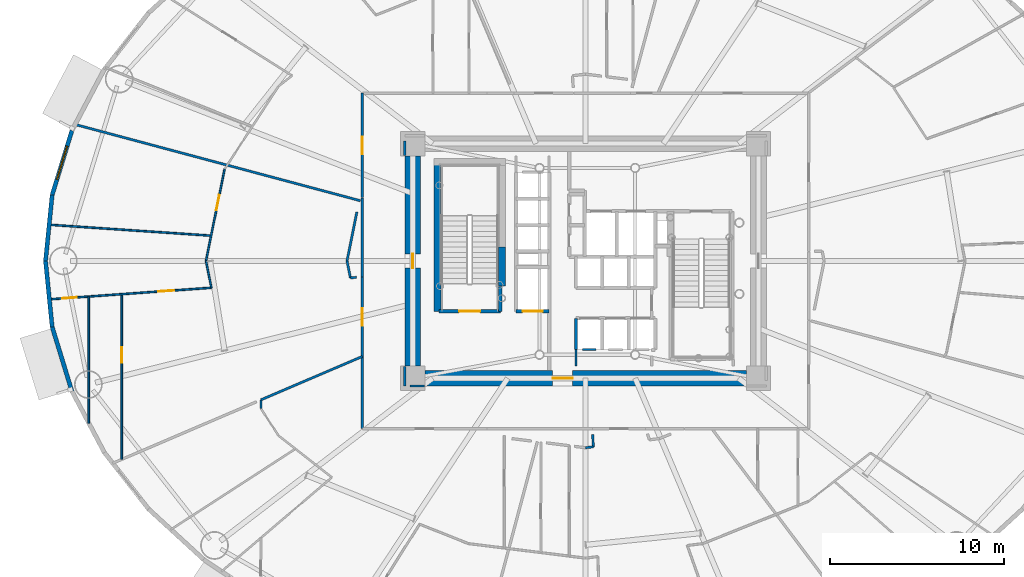
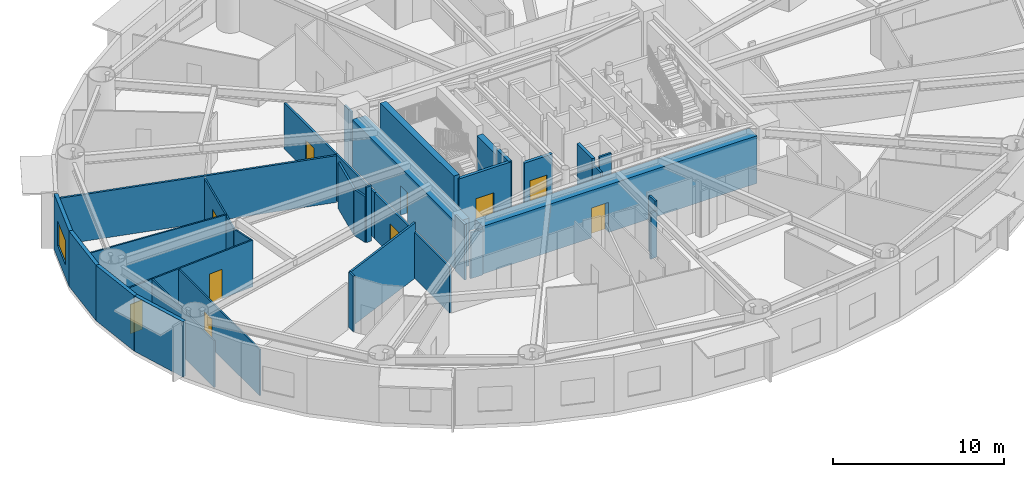
# One storey, part 11 of 24: 34 walls, 10 doors, 1 window, 11 openings.
"""IFC4 building model written with IfcOpenShell, lengths in metres."""

import ifcopenshell
import ifcopenshell.guid

model = None  # the IFC model being written
_history = None  # IfcOwnerHistory: only IFC2X3 demands one
_inside = {}  # id of a spatial element -> (the spatial element, [elements in it])
_under = {}  # id of a project, library or spatial element -> (it, [spatial elements below it])
_declared = {}  # id of a project -> (the project, [libraries it declares])
_typed = {}  # id of a type object -> (the type object, [elements of that type])
_made_of = {}  # id of a material, layer set ... -> (it, [elements and type objects made of it])


def new_model(schema):
    """Start an empty IFC model of exactly this schema.

    Asked for "IFC4X3", IfcOpenShell would pick the latest addendum, in which some entities
    have other attributes; the version numbers below select the first issue.
    IFC2X3 requires an IfcOwnerHistory on every rooted entity: one is made here for all.
    """
    global model, _history
    if schema == "IFC4X3":
        model = ifcopenshell.file(schema_version=(4, 3, 0, 0))
    else:
        model = ifcopenshell.file(schema=schema)
    _inside.clear()
    _under.clear()
    _declared.clear()
    _typed.clear()
    _made_of.clear()
    _history = None
    if model.schema == "IFC2X3":
        org = make("IfcOrganization", Name="unknown")
        user = make(
            "IfcPersonAndOrganization",
            ThePerson=make("IfcPerson", FamilyName="unknown"),
            TheOrganization=org,
        )
        app = make(
            "IfcApplication",
            ApplicationDeveloper=org,
            Version="unknown",
            ApplicationFullName="unknown",
            ApplicationIdentifier="unknown",
        )
        _history = make(
            "IfcOwnerHistory",
            OwningUser=user,
            OwningApplication=app,
            ChangeAction="ADDED",
            CreationDate=0,
        )
    return model


def make(cls, **values):
    """One entity of the class cls with the attributes given. An attribute that is None is left unset."""
    return model.create_entity(
        cls, **{name: value for name, value in values.items() if value is not None}
    )


def rooted(cls, **values):
    """An entity with a GlobalId (a new one), such as an element, a storey or a relation."""
    return make(cls, GlobalId=ifcopenshell.guid.new(), OwnerHistory=_history, **values)


def si_unit(unit_type, name, prefix=None):
    """IfcSIUnit, for example si_unit("LENGTHUNIT", "METRE", prefix="MILLI")."""
    return make("IfcSIUnit", UnitType=unit_type, Prefix=prefix, Name=name)


def assignment(units):
    """IfcUnitAssignment: the units of a project."""
    return None if units is None else make("IfcUnitAssignment", Units=units)


def point(xyz):
    """IfcCartesianPoint."""
    return None if xyz is None else make("IfcCartesianPoint", Coordinates=xyz)


def direction(xyz):
    """IfcDirection."""
    return None if xyz is None else make("IfcDirection", DirectionRatios=xyz)


def frame(location, z_axis=None, x_axis=None):
    """IfcAxis2Placement3D, a coordinate frame: its origin and axes. An axis left out is left unset."""
    return make(
        "IfcAxis2Placement3D",
        Location=point(location),
        Axis=direction(z_axis),
        RefDirection=direction(x_axis),
    )


def frame_2d(location, x_axis=None):
    """IfcAxis2Placement2D, a coordinate frame in the plane: its origin and x axis."""
    return make(
        "IfcAxis2Placement2D", Location=point(location), RefDirection=direction(x_axis)
    )


def origin():
    """The frame at (0, 0, 0) with its axes left unset."""
    return frame((0.0, 0.0, 0.0))


def origin_2d():
    """The frame at (0, 0) in the plane with its x axis left unset."""
    return frame_2d((0.0, 0.0))


def place(relative_to, where):
    """IfcLocalPlacement: puts the frame where relative to a parent placement (None: the world)."""
    return make(
        "IfcLocalPlacement", PlacementRelTo=relative_to, RelativePlacement=where
    )


def context(
    kind, dimensions, precision=None, world=None, true_north=None, identifier=None
):
    """IfcGeometricRepresentationContext, for example the 3D "Model" context."""
    return make(
        "IfcGeometricRepresentationContext",
        ContextIdentifier=identifier,
        ContextType=kind,
        CoordinateSpaceDimension=dimensions,
        Precision=precision,
        WorldCoordinateSystem=world,
        TrueNorth=true_north,
    )


def subcontext(parent, identifier, kind, view, scale=None):
    """IfcGeometricRepresentationSubContext, for example "Body" below "Model"."""
    return make(
        "IfcGeometricRepresentationSubContext",
        ContextIdentifier=identifier,
        ContextType=kind,
        ParentContext=parent,
        TargetScale=scale,
        TargetView=view,
    )


def project(units=None, contexts=None):
    """IfcProject with its units and contexts."""
    return rooted(
        "IfcProject",
        Name="project",
        RepresentationContexts=contexts,
        UnitsInContext=assignment(units),
    )


def spatial(cls, under=None, at=None, **own):
    """A site, building, storey or space (cls), placed at a placement, below another one or the project."""
    s = rooted(cls, ObjectPlacement=at, **own)
    if under is not None:
        _under.setdefault(under.id(), (under, []))[1].append(s)
    return s


def profile(cls, at=None, kind="AREA", **sizes):
    """A parametric profile (cls). Its sizes go by their IFC names, for example OverallWidth=200.0."""
    return make(cls, ProfileType=kind, Position=at, **sizes)


def rectangle(**sizes):
    """IfcRectangleProfileDef."""
    return profile("IfcRectangleProfileDef", **sizes)


def extrude(swept, where, along, depth):
    """IfcExtrudedAreaSolid: the profile swept, set in the frame where, extruded along a direction by depth."""
    return make(
        "IfcExtrudedAreaSolid",
        SweptArea=swept,
        Position=where,
        ExtrudedDirection=direction(along),
        Depth=depth,
    )


def shape(context_of_items, identifier, shape_type, items):
    """IfcShapeRepresentation: the items that make up one representation, for example the "Body"."""
    return make(
        "IfcShapeRepresentation",
        ContextOfItems=context_of_items,
        RepresentationIdentifier=identifier,
        RepresentationType=shape_type,
        Items=items,
    )


def source(mapping_origin, context_of_items, identifier, shape_type, items):
    """IfcRepresentationMap: a shape defined once, which mapped items show again and again."""
    return make(
        "IfcRepresentationMap",
        MappingOrigin=mapping_origin,
        MappedRepresentation=shape(context_of_items, identifier, shape_type, items),
    )


def transform(
    local_origin,
    x_axis=None,
    y_axis=None,
    z_axis=None,
    scale=None,
    scale2=None,
    scale3=None,
    uniform=True,
):
    """IfcCartesianTransformationOperator3D, or its non-uniform kind. x_axis, y_axis, z_axis: its Axis1, 2, 3."""
    if uniform:
        return make(
            "IfcCartesianTransformationOperator3D",
            Axis1=direction(x_axis),
            Axis2=direction(y_axis),
            LocalOrigin=point(local_origin),
            Scale=scale,
            Axis3=direction(z_axis),
        )
    return make(
        "IfcCartesianTransformationOperator3DnonUniform",
        Axis1=direction(x_axis),
        Axis2=direction(y_axis),
        LocalOrigin=point(local_origin),
        Scale=scale,
        Axis3=direction(z_axis),
        Scale2=scale2,
        Scale3=scale3,
    )


def mapped(mapping_source, mapping_target):
    """IfcMappedItem: shows the shape of a source again, moved by a transform."""
    return make(
        "IfcMappedItem", MappingSource=mapping_source, MappingTarget=mapping_target
    )


def material(Name=None, Category=None):
    """IfcMaterial."""
    return make("IfcMaterial", Name=Name, Category=Category)


def layer(
    of_material, thickness, ventilated=None, Name=None, Category=None, Priority=None
):
    """IfcMaterialLayer: one layer of a wall or slab, of a material (None: an air gap)."""
    return make(
        "IfcMaterialLayer",
        Material=of_material,
        LayerThickness=thickness,
        IsVentilated=ventilated,
        Name=Name,
        Category=Category,
        Priority=Priority,
    )


def layer_set(layers, Name=None):
    """IfcMaterialLayerSet."""
    return make("IfcMaterialLayerSet", MaterialLayers=layers, LayerSetName=Name)


def made_of(thing, what):
    """Note that an element or type object is made of a material, layer set ...; save() writes the relation."""
    if what is not None:
        _made_of.setdefault(what.id(), (what, []))[1].append(thing)
    return thing


def type_object(cls, material=None, **own):
    """A type object (cls), such as IfcWallType, which elements share."""
    return made_of(rooted(cls, **own), material)


def element(
    cls,
    number,
    at=None,
    inside=None,
    cuts=None,
    type_object=None,
    material=None,
    context=None,
    identifier="Body",
    shape_type=None,
    held_by="IfcProductDefinitionShape",
    body=None,
    shapes=None,
    **own,
):
    """One element of the class cls, such as IfcWall. Its Tag is "e" and its number.

    at: its placement. inside: the storey or other place that contains it. cuts: it is an
    opening in that element (IfcRelVoidsElement). A single representation is given by context,
    identifier, shape_type and body (its items); several are given by shapes. held_by: the class
    of the entity that holds the representations. save() writes the other relations.
    """
    e = rooted(cls, Tag="e%d" % number, ObjectPlacement=at, **own)
    if body is not None:
        shapes = [shape(context, identifier, shape_type, body)]
    if shapes is not None:
        e.Representation = make(held_by, Representations=shapes)
    if inside is not None:
        _inside.setdefault(inside.id(), (inside, []))[1].append(e)
    if cuts is not None:
        rooted(
            "IfcRelVoidsElement", RelatingBuildingElement=cuts, RelatedOpeningElement=e
        )
    if type_object is not None:
        _typed.setdefault(type_object.id(), (type_object, []))[1].append(e)
    return made_of(e, material)


def fill(opening, filler):
    """IfcRelFillsElement: the door or window that sits in an opening."""
    return rooted(
        "IfcRelFillsElement",
        RelatingOpeningElement=opening,
        RelatedBuildingElement=filler,
    )


def aggregate(whole, parts):
    """IfcRelAggregates: a whole, such as a stair, and the parts it consists of."""
    return rooted("IfcRelAggregates", RelatingObject=whole, RelatedObjects=parts)


def save(model, path):
    """Write the relations noted so far, then the file.

    IfcRelAggregates (storeys below a building ...), IfcRelContainedInSpatialStructure (elements
    in a storey), IfcRelDefinesByType, IfcRelAssociatesMaterial and IfcRelDeclares: one each for
    every whole, place, type object, material and project.
    """
    for whole, parts in _under.values():
        aggregate(whole, parts)
    for where, things in _inside.values():
        rooted(
            "IfcRelContainedInSpatialStructure",
            RelatedElements=things,
            RelatingStructure=where,
        )
    for kind, things in _typed.values():
        rooted("IfcRelDefinesByType", RelatedObjects=things, RelatingType=kind)
    for what, things in _made_of.values():
        rooted("IfcRelAssociatesMaterial", RelatedObjects=things, RelatingMaterial=what)
    for by, libraries in _declared.values():
        rooted("IfcRelDeclares", RelatingContext=by, RelatedDefinitions=libraries)
    model.write(path)


model = new_model("IFC4")

# Units and contexts
model_context = context("Model", 3, precision=1e-05, world=origin(), true_north=direction((0.0, 1.0)))
body_context = subcontext(model_context, "Body", "Model", "MODEL_VIEW")
ifc_project = project(units=[si_unit("LENGTHUNIT", "METRE"), si_unit("AREAUNIT", "SQUARE_METRE"), si_unit("VOLUMEUNIT", "CUBIC_METRE"), si_unit("PLANEANGLEUNIT", "RADIAN"), si_unit("MASSUNIT", "GRAM", prefix="KILO")], contexts=[model_context])

# Site, building, storey
site_placement = place(None, origin())
site = spatial("IfcSite", under=ifc_project, at=site_placement, CompositionType="ELEMENT")
building_placement = place(site_placement, origin())
building = spatial("IfcBuilding", under=site, at=building_placement, Name="Linh Dai School and Residence Tower", CompositionType="ELEMENT")
storey_placement = place(building_placement, frame((0.0, 0.0, 70.199951171875)))
storey = spatial("IfcBuildingStorey", under=building, at=storey_placement, Name="L16", CompositionType="ELEMENT", Elevation=70.199951171875)

# Wall, opening, window
ifc_material_1 = material(Name="Precast Concrete B45 (C35/45)", Category="concrete")
ifc_layer_1 = layer(ifc_material_1, 0.239990234375)
ifc_layer_set_1 = layer_set([ifc_layer_1], Name="Precast Concrete B45 (C35/45)")
wall_type_1 = type_object("IfcWallType", Name="EW-TC-240", PredefinedType="SOLIDWALL", material=ifc_layer_set_1)
wall_1_placement = place(storey_placement, frame((5.306640625, 30.796875, 0.0), z_axis=(0.0, 0.0, 1.0), x_axis=(0.293111631758, 0.956078224482, 0.0)))
wall_1 = element("IfcWall", 1, at=wall_1_placement, inside=storey, type_object=wall_type_1, Name="L16 Terracotta Exterior Wall 19", PredefinedType="SOLIDWALL", context=body_context, shape_type="SweptSolid", body=[
    extrude(rectangle(XDim=3.874755859375, YDim=0.239990234375, at=frame_2d((1.9375, 0.0))), origin(), (0.0, 0.0, 1.0), 3.949951171875),
])
opening_1_placement = place(wall_1_placement, frame((0.9375, 0.0, 0.89990234375)))
opening_1 = element("IfcOpeningElement", 2, at=opening_1_placement, cuts=wall_1, Name="Opening W1", PredefinedType="OPENING", context=body_context, shape_type="SweptSolid", body=[
    extrude(rectangle(XDim=2.0, YDim=1.75, at=origin_2d()), frame((1.0, 0.1298828125, 0.875), z_axis=(0.0, -1.0, 0.0), x_axis=(1.0, 0.0, 0.0)), (0.0, 0.0, 1.0), 0.260009765625),
])
ifc_material_2 = material(Name="Double Low-E Insulated Glazing", Category="glass")
window_type = type_object("IfcWindowType", Name="WN-RES-2000x1750", PartitioningType="DOUBLE_PANEL_VERTICAL", PredefinedType="WINDOW", material=ifc_material_2)
shared_shape_1 = source(origin(), body_context, "Body", "SweptSolid", [
    extrude(rectangle(XDim=2.0, YDim=1.75, at=origin_2d()), frame((1.0, 0.030029296875, 0.875), z_axis=(0.0, -1.0, 0.0), x_axis=(1.0, 0.0, 0.0)), (0.0, 0.0, 1.0), 0.06005859375),
])
window_placement = place(opening_1_placement, origin())
window = element("IfcWindow", 3, at=window_placement, inside=storey, type_object=window_type, Name="L16 Exterior Window 19.1", OverallHeight=1.75, OverallWidth=2.0, PartitioningType="DOUBLE_PANEL_VERTICAL", PredefinedType="WINDOW", context=body_context, shape_type="MappedRepresentation", body=[
    mapped(shared_shape_1, transform((0.0, 0.0, 0.0), x_axis=(1.0, 0.0, 0.0), y_axis=(0.0, 1.0, 0.0), z_axis=(0.0, 0.0, 1.0), scale=1.0)),
])
fill(opening_1, window)

# Walls
for number, where, z_axis, x_axis, name in (
    (4, (4.925048828125, 27.0, 0.0), (0.0, 0.0, 1.0), (0.099997795174, 0.994987658698, 0.0), "L16 Terracotta Exterior Wall 20"),
    (5, (5.306640625, 23.203125, 0.0), (0.0, 0.0, 1.0), (-0.099997795174, 0.994987658698, 0.0), "L16 Terracotta Exterior Wall 21"),
):
    element("IfcWall", number, at=place(storey_placement, frame(where, z_axis=z_axis, x_axis=x_axis)), inside=storey, type_object=wall_type_1, Name=name, PredefinedType="SOLIDWALL", context=body_context, shape_type="SweptSolid", body=[
        extrude(rectangle(XDim=3.81591796875, YDim=0.239990234375, at=frame_2d((1.907958984375, 0.0))), origin(), (0.0, 0.0, 1.0), 3.949951171875),
    ])
wall_2_placement = place(storey_placement, frame((6.4423828125, 19.49853515625, 0.0), z_axis=(0.0, 0.0, 1.0), x_axis=(-0.293111631758, 0.956078224482, 0.0)))
element("IfcWall", 6, at=wall_2_placement, inside=storey, type_object=wall_type_1, Name="L16 Terracotta Exterior Wall 22", PredefinedType="SOLIDWALL", context=body_context, shape_type="SweptSolid", body=[
    extrude(rectangle(XDim=3.874755859375, YDim=0.239990234375, at=frame_2d((1.9375, 0.0))), origin(), (0.0, 0.0, 1.0), 3.949951171875),
])
ifc_material_3 = material(Name="Autoclaved Aerated Concrete Blockwork", Category="masonry")
ifc_layer_2 = layer(ifc_material_3, 0.135009765625)
ifc_layer_set_2 = layer_set([ifc_layer_2], Name="Autoclaved Aerated Concrete Blockwork")
wall_type_2 = type_object("IfcWallType", Name="IW-CORR-135-EI90", PredefinedType="PARTITIONING", material=ifc_layer_set_2)
wall_3_placement = place(storey_placement, frame((6.623046875, 34.853515625, 0.0), z_axis=(0.0, 0.0, 1.0), x_axis=(0.966073053026, -0.258268961003, 0.0)))
element("IfcWall", 7, at=wall_3_placement, inside=storey, type_object=wall_type_2, Name="L16 Interior Partition Wall 003", PredefinedType="PARTITIONING", context=body_context, shape_type="SweptSolid", body=[
    extrude(rectangle(XDim=16.99072265625, YDim=0.135009765625, at=frame_2d((8.495361328125, 0.0))), origin(), (0.0, 0.0, 1.0), 3.3349609375),
])
wall_4_placement = place(storey_placement, frame((17.3193359375, 19.007080078125, 0.0), z_axis=(0.0, 0.0, 1.0), x_axis=(0.919369884618, 0.393394223721, 0.0)))
element("IfcWall", 8, at=wall_4_placement, inside=storey, type_object=wall_type_2, Name="L16 Interior Partition Wall 016", PredefinedType="PARTITIONING", context=body_context, shape_type="SweptSolid", body=[
    extrude(rectangle(XDim=6.341796875, YDim=0.135009765625, at=frame_2d((3.1708984375, 0.0))), origin(), (0.0, 0.0, 1.0), 3.949951171875),
])

# Wall, opening, door
wall_5_placement = place(storey_placement, frame((23.14990234375, 17.35009765625, 0.0), z_axis=(0.0, 0.0, 1.0), x_axis=(0.0, 1.0, 0.0)))
wall_5 = element("IfcWall", 9, at=wall_5_placement, inside=storey, type_object=wall_type_2, Name="L16 Interior Partition Wall 022", PredefinedType="PARTITIONING", context=body_context, shape_type="SweptSolid", body=[
    extrude(rectangle(XDim=8.72900390625, YDim=0.135009765625, at=frame_2d((4.364501953125, 0.0))), origin(), (0.0, 0.0, 1.0), 3.28515625),
])
opening_2_placement = place(wall_5_placement, frame((5.920654296875, 0.0, 0.0)))
opening_2 = element("IfcOpeningElement", 10, at=opening_2_placement, cuts=wall_5, Name="Opening D03", PredefinedType="OPENING", context=body_context, shape_type="SweptSolid", body=[
    extrude(rectangle(XDim=1.0, YDim=2.14990234375, at=origin_2d()), frame((0.5, 0.07763671875, 1.074951171875), z_axis=(0.0, -1.0, 0.0), x_axis=(1.0, 0.0, 0.0)), (0.0, 0.0, 1.0), 0.155029296875),
])
ifc_material_4 = material(Name="Fire-Rated Solid Timber Entrance Door", Category="wood")
door_type_1 = type_object("IfcDoorType", Name="DR-FLAT-1000x2150-FD60S", OperationType="NOTDEFINED", PredefinedType="DOOR", material=ifc_material_4)
shared_shape_2 = source(origin(), body_context, "Body", "SweptSolid", [
    extrude(rectangle(XDim=1.0, YDim=2.14990234375, at=origin_2d()), frame((0.5, 0.02490234375, 1.074951171875), z_axis=(0.0, -1.0, 0.0), x_axis=(1.0, 0.0, 0.0)), (0.0, 0.0, 1.0), 0.050048828125),
])
door_1_placement = place(opening_2_placement, origin())
door_1 = element("IfcDoor", 11, at=door_1_placement, inside=storey, type_object=door_type_1, Name="L16 U1603 Apartment Entrance Door", OperationType="SINGLE_SWING_RIGHT", OverallHeight=2.14990234375, OverallWidth=1.0, PredefinedType="DOOR", context=body_context, shape_type="MappedRepresentation", body=[
    mapped(shared_shape_2, transform((0.0, 0.0, 0.0), x_axis=(1.0, 0.0, 0.0), y_axis=(0.0, 1.0, 0.0), z_axis=(0.0, 0.0, 1.0), scale=1.0)),
])
fill(opening_2, door_1)

wall_6_placement = place(storey_placement, frame((23.14990234375, 30.638427734375, 0.0), z_axis=(0.0, 0.0, 1.0), x_axis=(0.0, 1.0, 0.0)))
wall_6 = element("IfcWall", 12, at=wall_6_placement, inside=storey, type_object=wall_type_2, Name="L16 Interior Partition Wall 024", PredefinedType="PARTITIONING", context=body_context, shape_type="SweptSolid", body=[
    extrude(rectangle(XDim=6.011474609375, YDim=0.135009765625, at=frame_2d((3.005859375, 0.0))), origin(), (0.0, 0.0, 1.0), 3.28515625),
])
opening_3_placement = place(wall_6_placement, frame((2.505859375, 0.0, 0.0)))
opening_3 = element("IfcOpeningElement", 13, at=opening_3_placement, cuts=wall_6, Name="Opening D03", PredefinedType="OPENING", context=body_context, shape_type="SweptSolid", body=[
    extrude(rectangle(XDim=1.0, YDim=2.14990234375, at=origin_2d()), frame((0.5, 0.07763671875, 1.074951171875), z_axis=(0.0, -1.0, 0.0), x_axis=(1.0, 0.0, 0.0)), (0.0, 0.0, 1.0), 0.155029296875),
])
door_2_placement = place(opening_3_placement, origin())
door_2 = element("IfcDoor", 14, at=door_2_placement, inside=storey, type_object=door_type_1, Name="L16 U1602 Apartment Entrance Door", OperationType="SINGLE_SWING_RIGHT", OverallHeight=2.14990234375, OverallWidth=1.0, PredefinedType="DOOR", context=body_context, shape_type="MappedRepresentation", body=[
    mapped(shared_shape_2, transform((0.0, 0.0, 0.0), x_axis=(1.0, 0.0, 0.0), y_axis=(0.0, 1.0, 0.0), z_axis=(0.0, 0.0, 1.0), scale=1.0)),
])
fill(opening_3, door_2)

# Walls
wall_7_placement = place(storey_placement, frame((36.60009765625, 21.89990234375, 0.0), z_axis=(0.0, 0.0, 1.0), x_axis=(-1.0, 0.0, 0.0)))
element("IfcWall", 15, at=wall_7_placement, inside=storey, type_object=wall_type_2, Name="L16 Interior Partition Wall 110", PredefinedType="PARTITIONING", context=body_context, shape_type="SweptSolid", body=[
    extrude(rectangle(XDim=0.7900390625, YDim=0.135009765625, at=frame_2d((0.39501953125, 0.0))), origin(), (0.0, 0.0, 1.0), 3.949951171875),
])
wall_8_placement = place(storey_placement, frame((35.449951171875, 21.889892578125, 0.0), z_axis=(0.0, 0.0, 1.0), x_axis=(0.0, -1.0, 0.0)))
element("IfcWall", 16, at=wall_8_placement, inside=storey, type_object=wall_type_2, Name="L16 Interior Partition Wall 117", PredefinedType="PARTITIONING", context=body_context, shape_type="SweptSolid", body=[
    extrude(rectangle(XDim=0.929931640625, YDim=0.135009765625, at=frame_2d((0.46484375, 0.0))), origin(), (0.0, 0.0, 1.0), 3.53515625),
])
wall_9_placement = place(storey_placement, frame((23.14990234375, 26.089111328125, 0.0), z_axis=(0.0, 0.0, 1.0), x_axis=(0.0, 1.0, 0.0)))
element("IfcWall", 17, at=wall_9_placement, inside=storey, type_object=wall_type_2, Name="L16 Interior Partition Wall 124", PredefinedType="PARTITIONING", context=body_context, shape_type="SweptSolid", body=[
    extrude(rectangle(XDim=4.539306640625, YDim=0.135009765625, at=frame_2d((2.26953125, 0.0))), origin(), (0.0, 0.0, 1.0), 3.28515625),
])
wall_10_placement = place(storey_placement, frame((25.60009765625, 33.892578125, 0.0), z_axis=(0.0, 0.0, 1.0), x_axis=(0.0, -1.0, 0.0)))
element("IfcWall", 18, at=wall_10_placement, inside=storey, type_object=wall_type_2, Name="L16 Interior Partition Wall 127", PredefinedType="PARTITIONING", context=body_context, shape_type="SweptSolid", body=[
    extrude(rectangle(XDim=0.83251953125, YDim=0.135009765625, at=frame_2d((0.416259765625, 0.0))), origin(), (0.0, 0.0, 1.0), 3.949951171875),
])
wall_11_placement = place(storey_placement, frame((25.60009765625, 20.93994140625, 0.0), z_axis=(0.0, 0.0, 1.0), x_axis=(0.0, -1.0, 0.0)))
element("IfcWall", 19, at=wall_11_placement, inside=storey, type_object=wall_type_2, Name="L16 Interior Partition Wall 128", PredefinedType="PARTITIONING", context=body_context, shape_type="SweptSolid", body=[
    extrude(rectangle(XDim=1.139892578125, YDim=0.135009765625, at=frame_2d((0.56982421875, 0.0))), origin(), (0.0, 0.0, 1.0), 3.949951171875),
])
wall_12_placement = place(storey_placement, frame((25.907470703125, 19.800048828125, 0.0), z_axis=(0.0, 0.0, 1.0), x_axis=(1.0, 0.0, 0.0)))
element("IfcWall", 20, at=wall_12_placement, inside=storey, type_object=wall_type_2, Name="L16 Interior Partition Wall 129", PredefinedType="PARTITIONING", context=body_context, shape_type="SweptSolid", body=[
    extrude(rectangle(XDim=0.83251953125, YDim=0.135009765625, at=frame_2d((0.416259765625, 0.0))), origin(), (0.0, 0.0, 1.0), 3.28515625),
])
wall_13_placement = place(storey_placement, frame((22.842529296875, 29.8203125, 0.0), z_axis=(0.0, 0.0, 1.0), x_axis=(-0.19828576171, -0.980144253007, 0.0)))
element("IfcWall", 21, at=wall_13_placement, inside=storey, type_object=wall_type_2, Name="L16 Interior Partition Wall 138", PredefinedType="PARTITIONING", context=body_context, shape_type="SweptSolid", body=[
    extrude(rectangle(XDim=2.87744140625, YDim=0.135009765625, at=frame_2d((1.438720703125, 0.0))), origin(), (0.0, 0.0, 1.0), 3.28515625),
])
wall_14_placement = place(storey_placement, frame((22.27197265625, 27.0, 0.0), z_axis=(0.0, 0.0, 1.0), x_axis=(0.1983933715, -0.980122477114, 0.0)))
element("IfcWall", 22, at=wall_14_placement, inside=storey, type_object=wall_type_2, Name="L16 Interior Partition Wall 139", PredefinedType="PARTITIONING", context=body_context, shape_type="SweptSolid", body=[
    extrude(rectangle(XDim=0.989501953125, YDim=0.135009765625, at=frame_2d((0.49462890625, 0.0))), origin(), (0.0, 0.0, 1.0), 3.28515625),
])
wall_15_placement = place(storey_placement, frame((22.46826171875, 26.0302734375, 0.0), z_axis=(0.0, 0.0, 1.0), x_axis=(0.997441222806, 0.071491307493, 0.0)))
element("IfcWall", 23, at=wall_15_placement, inside=storey, type_object=wall_type_2, Name="L16 Interior Partition Wall 140", PredefinedType="PARTITIONING", context=body_context, shape_type="SweptSolid", body=[
    extrude(rectangle(XDim=0.355224609375, YDim=0.135009765625, at=frame_2d((0.177734375, 0.0))), origin(), (0.0, 0.0, 1.0), 3.949951171875),
])
wall_16_placement = place(storey_placement, frame((17.3193359375, 18.503173828125, 0.0), z_axis=(0.0, 0.0, 1.0), x_axis=(0.0, 1.0, 0.0)))
element("IfcWall", 24, at=wall_16_placement, inside=storey, type_object=wall_type_2, Name="L16 Interior Partition Wall 141", PredefinedType="PARTITIONING", context=body_context, shape_type="SweptSolid", body=[
    extrude(rectangle(XDim=0.50390625, YDim=0.135009765625, at=frame_2d((0.251953125, 0.0))), origin(), (0.0, 0.0, 1.0), 3.949951171875),
])
wall_17_placement = place(storey_placement, frame((36.0, 16.250732421875, 0.0), z_axis=(0.0, 0.0, 1.0), x_axis=(0.992361995933, 0.123359916621, 0.0)))
element("IfcWall", 25, at=wall_17_placement, inside=storey, type_object=wall_type_2, Name="L16 Interior Partition Wall 144", PredefinedType="PARTITIONING", context=body_context, shape_type="SweptSolid", body=[
    extrude(rectangle(XDim=0.4453125, YDim=0.135009765625, at=frame_2d((0.22265625, 0.0))), origin(), (0.0, 0.0, 1.0), 3.28515625),
])
wall_18_placement = place(storey_placement, frame((36.44189453125, 16.3056640625, 0.0), z_axis=(0.0, 0.0, 1.0), x_axis=(-0.041177579393, 0.999151843793, 0.0)))
element("IfcWall", 26, at=wall_18_placement, inside=storey, type_object=wall_type_2, Name="L16 Interior Partition Wall 145", PredefinedType="PARTITIONING", context=body_context, shape_type="SweptSolid", body=[
    extrude(rectangle(XDim=0.71728515625, YDim=0.135009765625, at=frame_2d((0.358642578125, 0.0))), origin(), (0.0, 0.0, 1.0), 3.949951171875),
])

# Wall, opening, door
ifc_material_5 = material(Name="Concrete B45 (C35/45)", Category="concrete")
ifc_layer_3 = layer(ifc_material_5, 0.199951171875)
ifc_layer_set_3 = layer_set([ifc_layer_3], Name="Concrete B45 (C35/45)")
wall_type_3 = type_object("IfcWallType", Name="IW-SHAFT-200-EI120", PredefinedType="PARTITIONING", material=ifc_layer_set_3)
wall_19_placement = place(storey_placement, frame((27.56005859375, 24.10009765625, 0.0), z_axis=(0.0, 0.0, 1.0), x_axis=(1.0, 0.0, 0.0)))
wall_19 = element("IfcWall", 27, at=wall_19_placement, inside=storey, type_object=wall_type_3, Name="L16 Interior Partition Wall 030", PredefinedType="PARTITIONING", context=body_context, shape_type="SweptSolid", body=[
    extrude(rectangle(XDim=3.5400390625, YDim=0.199951171875, at=frame_2d((1.77001953125, 0.0))), origin(), (0.0, 0.0, 1.0), 3.949951171875),
])
opening_4_placement = place(wall_19_placement, frame((1.169921875, 0.0, 0.0)))
opening_4 = element("IfcOpeningElement", 28, at=opening_4_placement, cuts=wall_19, Name="Opening D01", PredefinedType="OPENING", context=body_context, shape_type="SweptSolid", body=[
    extrude(rectangle(XDim=1.199951171875, YDim=2.14990234375, at=origin_2d()), frame((0.60009765625, 0.10986328125, 1.074951171875), z_axis=(0.0, -1.0, 0.0), x_axis=(1.0, 0.0, 0.0)), (0.0, 0.0, 1.0), 0.219970703125),
])
ifc_material_6 = material(Name="Fire-Rated Steel Door Leaf", Category="steel")
door_type_2 = type_object("IfcDoorType", Name="DR-STAIR-1200x2150-FD90S", OperationType="NOTDEFINED", PredefinedType="DOOR", material=ifc_material_6)
shared_shape_3 = source(origin(), body_context, "Body", "SweptSolid", [
    extrude(rectangle(XDim=1.199951171875, YDim=2.14990234375, at=origin_2d()), frame((0.60009765625, 0.02490234375, 1.074951171875), z_axis=(0.0, -1.0, 0.0), x_axis=(1.0, 0.0, 0.0)), (0.0, 0.0, 1.0), 0.050048828125),
])
door_3_placement = place(opening_4_placement, origin())
door_3 = element("IfcDoor", 29, at=door_3_placement, inside=storey, type_object=door_type_2, Name="L16 Core Smokeproof Exit Stair ST1 Door", OperationType="SINGLE_SWING_RIGHT", OverallHeight=2.14990234375, OverallWidth=1.199951171875, PredefinedType="DOOR", context=body_context, shape_type="MappedRepresentation", body=[
    mapped(shared_shape_3, transform((0.0, 0.0, 0.0), x_axis=(1.0, 0.0, 0.0), y_axis=(0.0, 1.0, 0.0), z_axis=(0.0, 0.0, 1.0), scale=1.0)),
])
fill(opening_4, door_3)

# Wall
wall_20_placement = place(storey_placement, frame((31.10009765625, 24.10009765625, 0.0), z_axis=(0.0, 0.0, 1.0), x_axis=(0.0, 1.0, 0.0)))
element("IfcWall", 30, at=wall_20_placement, inside=storey, type_object=wall_type_3, Name="L16 Interior Partition Wall 034", PredefinedType="PARTITIONING", context=body_context, shape_type="SweptSolid", body=[
    extrude(rectangle(XDim=1.43994140625, YDim=0.199951171875, at=frame_2d((0.719970703125, 0.0))), origin(), (0.0, 0.0, 1.0), 3.949951171875),
])

# Wall, opening, door
wall_21_placement = place(storey_placement, frame((32.0, 24.10009765625, 0.0), z_axis=(0.0, 0.0, 1.0), x_axis=(1.0, 0.0, 0.0)))
wall_21 = element("IfcWall", 31, at=wall_21_placement, inside=storey, type_object=wall_type_3, Name="L16 Interior Partition Wall 038", PredefinedType="PARTITIONING", context=body_context, shape_type="SweptSolid", body=[
    extrude(rectangle(XDim=1.89990234375, YDim=0.199951171875, at=frame_2d((0.949951171875, 0.0))), origin(), (0.0, 0.0, 1.0), 3.53515625),
])
opening_5_placement = place(wall_21_placement, frame((0.375, 0.0, 0.0)))
opening_5 = element("IfcOpeningElement", 32, at=opening_5_placement, cuts=wall_21, Name="Opening LD-FF2", PredefinedType="OPENING", context=body_context, shape_type="SweptSolid", body=[
    extrude(rectangle(XDim=1.14990234375, YDim=2.14990234375, at=origin_2d()), frame((0.574951171875, 0.10986328125, 1.074951171875), z_axis=(0.0, -1.0, 0.0), x_axis=(1.0, 0.0, 0.0)), (0.0, 0.0, 1.0), 0.219970703125),
])
ifc_material_7 = material(Name="Fire-Rated Stainless Steel Firefighting Lift Door", Category="steel")
door_type_3 = type_object("IfcDoorType", Name="DR-LD-FF-1150x2150-FD120", OperationType="DOUBLE_DOOR_SLIDING", PredefinedType="USERDEFINED", material=ifc_material_7)
shared_shape_4 = source(origin(), body_context, "Body", "SweptSolid", [
    extrude(rectangle(XDim=1.14990234375, YDim=2.14990234375, at=origin_2d()), frame((0.574951171875, 0.02490234375, 1.074951171875), z_axis=(0.0, -1.0, 0.0), x_axis=(1.0, 0.0, 0.0)), (0.0, 0.0, 1.0), 0.050048828125),
])
door_4_placement = place(opening_5_placement, origin())
door_4 = element("IfcDoor", 33, at=door_4_placement, inside=storey, type_object=door_type_3, Name="L16 Lift FF2 Sliding Landing Door", ObjectType="LANDING DOOR", OperationType="DOUBLE_DOOR_SLIDING", OverallHeight=2.14990234375, OverallWidth=1.14990234375, PredefinedType="USERDEFINED", context=body_context, shape_type="MappedRepresentation", body=[
    mapped(shared_shape_4, transform((0.0, 0.0, 0.0), x_axis=(1.0, 0.0, 0.0), y_axis=(0.0, 1.0, 0.0), z_axis=(0.0, 0.0, 1.0), scale=1.0)),
])
fill(opening_5, door_4)

# Walls
wall_22_placement = place(storey_placement, frame((35.449951171875, 21.89990234375, 0.0), z_axis=(0.0, 0.0, 1.0), x_axis=(0.0, 1.0, 0.0)))
element("IfcWall", 34, at=wall_22_placement, inside=storey, type_object=wall_type_3, Name="L16 Interior Partition Wall 054", PredefinedType="PARTITIONING", context=body_context, shape_type="SweptSolid", body=[
    extrude(rectangle(XDim=1.800048828125, YDim=0.199951171875, at=frame_2d((0.89990234375, 0.0))), origin(), (0.0, 0.0, 1.0), 3.949951171875),
])
ifc_material_8 = material(Name="Gypsum Plasterboard Acoustic Stud Partition", Category="masonry")
ifc_layer_4 = layer(ifc_material_8, 0.10009765625)
ifc_layer_set_4 = layer_set([ifc_layer_4], Name="Gypsum Plasterboard Acoustic Stud Partition")
wall_type_4 = type_object("IfcWallType", Name="IW-UNIT-100", PredefinedType="PARTITIONING", material=ifc_layer_set_4)
wall_23_placement = place(storey_placement, frame((5.12939453125, 29.08251953125, 0.0), z_axis=(0.0, 0.0, 1.0), x_axis=(0.997731551972, -0.067318275369, 0.0)))
element("IfcWall", 35, at=wall_23_placement, inside=storey, type_object=wall_type_4, Name="L16 Interior Partition Wall 001", PredefinedType="PARTITIONING", context=body_context, shape_type="SweptSolid", body=[
    extrude(rectangle(XDim=9.345947265625, YDim=0.10009765625, at=frame_2d((4.6728515625, 0.0))), origin(), (0.0, 0.0, 1.0), 3.3349609375),
])

# Wall, openings, doors
wall_24_placement = place(storey_placement, frame((5.142333984375, 24.788818359375, 0.0), z_axis=(0.0, 0.0, 1.0), x_axis=(0.997443041409, 0.071465929957, 0.0)))
wall_24 = element("IfcWall", 36, at=wall_24_placement, inside=storey, type_object=wall_type_4, Name="L16 Interior Partition Wall 002", PredefinedType="PARTITIONING", context=body_context, shape_type="SweptSolid", body=[
    extrude(rectangle(XDim=9.353515625, YDim=0.10009765625, at=frame_2d((4.6767578125, 0.0))), origin(), (0.0, 0.0, 1.0), 3.3349609375),
])
opening_6_placement = place(wall_24_placement, frame((6.29345703125, 0.0, 0.0)))
opening_6 = element("IfcOpeningElement", 37, at=opening_6_placement, cuts=wall_24, Name="Opening D05", PredefinedType="OPENING", context=body_context, shape_type="SweptSolid", body=[
    extrude(rectangle(XDim=0.89990234375, YDim=2.10009765625, at=origin_2d()), frame((0.449951171875, 0.06005859375, 1.050048828125), z_axis=(0.0, -1.0, 0.0), x_axis=(1.0, 0.0, 0.0)), (0.0, 0.0, 1.0), 0.1201171875),
])
opening_7_placement = place(wall_24_placement, frame((0.750244140625, 0.0, 0.0)))
opening_7 = element("IfcOpeningElement", 38, at=opening_7_placement, cuts=wall_24, Name="Opening D06", PredefinedType="OPENING", context=body_context, shape_type="SweptSolid", body=[
    extrude(rectangle(XDim=0.820068359375, YDim=2.10009765625, at=origin_2d()), frame((0.41015625, 0.06005859375, 1.050048828125), z_axis=(0.0, -1.0, 0.0), x_axis=(1.0, 0.0, 0.0)), (0.0, 0.0, 1.0), 0.1201171875),
])
ifc_material_9 = material(Name="Moisture-Resistant Timber Bathroom Door", Category="wood")
door_type_4 = type_object("IfcDoorType", Name="DR-WET-820x2100", OperationType="NOTDEFINED", PredefinedType="DOOR", material=ifc_material_9)
shared_shape_5 = source(origin(), body_context, "Body", "SweptSolid", [
    extrude(rectangle(XDim=0.820068359375, YDim=2.10009765625, at=origin_2d()), frame((0.41015625, 0.02490234375, 1.050048828125), z_axis=(0.0, -1.0, 0.0), x_axis=(1.0, 0.0, 0.0)), (0.0, 0.0, 1.0), 0.050048828125),
])
door_5_placement = place(opening_7_placement, origin())
door_5 = element("IfcDoor", 39, at=door_5_placement, inside=storey, type_object=door_type_4, Name="L16 Apartment U1603 Bathroom 1 Door", OperationType="SINGLE_SWING_LEFT", OverallHeight=2.10009765625, OverallWidth=0.820068359375, PredefinedType="DOOR", context=body_context, shape_type="MappedRepresentation", body=[
    mapped(shared_shape_5, transform((0.0, 0.0, 0.0), x_axis=(1.0, 0.0, 0.0), y_axis=(0.0, 1.0, 0.0), z_axis=(0.0, 0.0, 1.0), scale=1.0)),
])
fill(opening_7, door_5)
ifc_material_10 = material(Name="Engineered Timber Internal Door", Category="wood")
door_type_5 = type_object("IfcDoorType", Name="DR-INT-900x2100", OperationType="NOTDEFINED", PredefinedType="DOOR", material=ifc_material_10)
shared_shape_6 = source(origin(), body_context, "Body", "SweptSolid", [
    extrude(rectangle(XDim=0.89990234375, YDim=2.10009765625, at=origin_2d()), frame((0.449951171875, 0.02490234375, 1.050048828125), z_axis=(0.0, -1.0, 0.0), x_axis=(1.0, 0.0, 0.0)), (0.0, 0.0, 1.0), 0.050048828125),
])
door_6_placement = place(opening_6_placement, origin())
door_6 = element("IfcDoor", 40, at=door_6_placement, inside=storey, type_object=door_type_5, Name="L16 Apartment U1603 Study Door", OperationType="SINGLE_SWING_RIGHT", OverallHeight=2.10009765625, OverallWidth=0.89990234375, PredefinedType="DOOR", context=body_context, shape_type="MappedRepresentation", body=[
    mapped(shared_shape_6, transform((0.0, 0.0, 0.0), x_axis=(1.0, 0.0, 0.0), y_axis=(0.0, 1.0, 0.0), z_axis=(0.0, 0.0, 1.0), scale=1.0)),
])
fill(opening_6, door_6)

# Wall
wall_25_placement = place(storey_placement, frame((7.416748046875, 17.646240234375, 0.0), z_axis=(0.0, 0.0, 1.0), x_axis=(0.0, 1.0, 0.0)))
element("IfcWall", 41, at=wall_25_placement, inside=storey, type_object=wall_type_4, Name="L16 Interior Partition Wall 004", PredefinedType="PARTITIONING", context=body_context, shape_type="SweptSolid", body=[
    extrude(rectangle(XDim=7.3056640625, YDim=0.10009765625, at=frame_2d((3.65283203125, 0.0))), origin(), (0.0, 0.0, 1.0), 3.3349609375),
])

# Wall, opening, door
wall_26_placement = place(storey_placement, frame((9.3046875, 15.577880859375, 0.0), z_axis=(0.0, 0.0, 1.0), x_axis=(0.0, 1.0, 0.0)))
wall_26 = element("IfcWall", 42, at=wall_26_placement, inside=storey, type_object=wall_type_4, Name="L16 Interior Partition Wall 007", PredefinedType="PARTITIONING", context=body_context, shape_type="SweptSolid", body=[
    extrude(rectangle(XDim=9.50927734375, YDim=0.10009765625, at=frame_2d((4.754638671875, 0.0))), origin(), (0.0, 0.0, 1.0), 3.28515625),
])
opening_8_placement = place(wall_26_placement, frame((5.559814453125, 0.0, 0.0)))
opening_8 = element("IfcOpeningElement", 43, at=opening_8_placement, cuts=wall_26, Name="Opening D05", PredefinedType="OPENING", context=body_context, shape_type="SweptSolid", body=[
    extrude(rectangle(XDim=0.89990234375, YDim=2.10009765625, at=origin_2d()), frame((0.449951171875, 0.06005859375, 1.050048828125), z_axis=(0.0, -1.0, 0.0), x_axis=(1.0, 0.0, 0.0)), (0.0, 0.0, 1.0), 0.1201171875),
])
door_7_placement = place(opening_8_placement, origin())
door_7 = element("IfcDoor", 44, at=door_7_placement, inside=storey, type_object=door_type_5, Name="L16 Apartment U1603 Kitchen Door", OperationType="SINGLE_SWING_RIGHT", OverallHeight=2.10009765625, OverallWidth=0.89990234375, PredefinedType="DOOR", context=body_context, shape_type="MappedRepresentation", body=[
    mapped(shared_shape_6, transform((0.0, 0.0, 0.0), x_axis=(1.0, 0.0, 0.0), y_axis=(0.0, 1.0, 0.0), z_axis=(0.0, 0.0, 1.0), scale=1.0)),
])
fill(opening_8, door_7)

# Wall
wall_27_placement = place(storey_placement, frame((14.159912109375, 27.0, 0.0), z_axis=(0.0, 0.0, 1.0), x_axis=(0.198233557602, -0.980154812588, 0.0)))
element("IfcWall", 45, at=wall_27_placement, inside=storey, type_object=wall_type_4, Name="L16 Interior Partition Wall 010", PredefinedType="PARTITIONING", context=body_context, shape_type="SweptSolid", body=[
    extrude(rectangle(XDim=1.573974609375, YDim=0.10009765625, at=frame_2d((0.787109375, 0.0))), origin(), (0.0, 0.0, 1.0), 3.28515625),
])

# Wall, opening, door
wall_28_placement = place(storey_placement, frame((14.159912109375, 27.0, 0.0), z_axis=(0.0, 0.0, 1.0), x_axis=(0.198292702032, 0.980142848936, 0.0)))
wall_28 = element("IfcWall", 46, at=wall_28_placement, inside=storey, type_object=wall_type_4, Name="L16 Interior Partition Wall 011", PredefinedType="PARTITIONING", context=body_context, shape_type="SweptSolid", body=[
    extrude(rectangle(XDim=5.3916015625, YDim=0.10009765625, at=frame_2d((2.69580078125, 0.0))), origin(), (0.0, 0.0, 1.0), 3.28515625),
])
opening_9_placement = place(wall_28_placement, frame((2.96728515625, 0.0, 0.0)))
opening_9 = element("IfcOpeningElement", 47, at=opening_9_placement, cuts=wall_28, Name="Opening D05", PredefinedType="OPENING", context=body_context, shape_type="SweptSolid", body=[
    extrude(rectangle(XDim=0.89990234375, YDim=2.10009765625, at=origin_2d()), frame((0.449951171875, 0.06005859375, 1.050048828125), z_axis=(0.0, -1.0, 0.0), x_axis=(1.0, 0.0, 0.0)), (0.0, 0.0, 1.0), 0.1201171875),
])
door_8_placement = place(opening_9_placement, origin())
door_8 = element("IfcDoor", 48, at=door_8_placement, inside=storey, type_object=door_type_5, Name="L16 Apartment U1603 Principal Bedroom 1 Door", OperationType="SINGLE_SWING_LEFT", OverallHeight=2.10009765625, OverallWidth=0.89990234375, PredefinedType="DOOR", context=body_context, shape_type="MappedRepresentation", body=[
    mapped(shared_shape_6, transform((0.0, 0.0, 0.0), x_axis=(1.0, 0.0, 0.0), y_axis=(0.0, 1.0, 0.0), z_axis=(0.0, 0.0, 1.0), scale=1.0)),
])
fill(opening_9, door_8)

# Walls
ifc_layer_5 = layer(ifc_material_5, 0.39990234375)
ifc_layer_set_5 = layer_set([ifc_layer_5], Name="Concrete B45 (C35/45)")
wall_type_5 = type_object("IfcWallType", Name="WL-CORE400", PredefinedType="SHEAR", material=ifc_layer_set_5)
wall_29_placement = place(storey_placement, frame((27.47998046875, 24.10009765625, 0.0), z_axis=(0.0, 0.0, 1.0), x_axis=(0.0, 1.0, 0.0)))
element("IfcWall", 49, at=wall_29_placement, inside=storey, type_object=wall_type_5, Name="L16 Core Stair ST1 Bearing Wall W", PredefinedType="SHEAR", context=body_context, shape_type="SweptSolid", body=[
    extrude(rectangle(XDim=8.599853515625, YDim=0.39990234375, at=frame_2d((4.2998046875, 0.0))), origin(), (0.0, 0.0, 1.0), 4.199951171875),
])
wall_30_placement = place(storey_placement, frame((31.179931640625, 25.550048828125, 0.0), z_axis=(0.0, 0.0, 1.0), x_axis=(0.0, 1.0, 0.0)))
element("IfcWall", 50, at=wall_30_placement, inside=storey, type_object=wall_type_5, Name="L16 Internal Core Shear Wall IW", PredefinedType="SHEAR", context=body_context, shape_type="SweptSolid", body=[
    extrude(rectangle(XDim=2.25, YDim=0.39990234375, at=frame_2d((1.125, 0.0))), origin(), (0.0, 0.0, 1.0), 3.550048828125),
])

# Wall, opening, door
ifc_material_11 = material(Name="Concrete B60 (C50/60)", Category="concrete")
ifc_layer_6 = layer(ifc_material_11, 0.89990234375)
ifc_layer_set_6 = layer_set([ifc_layer_6], Name="Concrete B60 (C50/60)")
wall_type_6 = type_object("IfcWallType", Name="WL-CORE900", PredefinedType="SHEAR", material=ifc_layer_set_6)
wall_31_placement = place(storey_placement, frame((45.25, 20.25, 0.0), z_axis=(0.0, 0.0, 1.0), x_axis=(-1.0, 0.0, 0.0)))
wall_31 = element("IfcWall", 51, at=wall_31_placement, inside=storey, type_object=wall_type_6, Name="L16 Central Core Shear Wall S", PredefinedType="SHEAR", context=body_context, shape_type="SweptSolid", body=[
    extrude(rectangle(XDim=18.5, YDim=0.89990234375, at=frame_2d((9.25, 0.0))), origin(), (0.0, 0.0, 1.0), 3.400146484375),
])
opening_10_placement = place(wall_31_placement, frame((10.0, 0.0, 0.0)))
opening_10 = element("IfcOpeningElement", 52, at=opening_10_placement, cuts=wall_31, Name="Opening D02", PredefinedType="OPENING", context=body_context, shape_type="SweptSolid", body=[
    extrude(rectangle(XDim=1.14990234375, YDim=2.14990234375, at=origin_2d()), frame((0.574951171875, 0.4599609375, 1.074951171875), z_axis=(0.0, -1.0, 0.0), x_axis=(1.0, 0.0, 0.0)), (0.0, 0.0, 1.0), 0.919921875),
])
ifc_material_12 = material(Name="Fire-Rated Glazed Steel Lobby Door", Category="steel")
door_type_6 = type_object("IfcDoorType", Name="DR-LOBBY-1150x2150-FD90S", OperationType="NOTDEFINED", PredefinedType="DOOR", material=ifc_material_12)
shared_shape_7 = source(origin(), body_context, "Body", "SweptSolid", [
    extrude(rectangle(XDim=1.14990234375, YDim=2.14990234375, at=origin_2d()), frame((0.574951171875, 0.02490234375, 1.074951171875), z_axis=(0.0, -1.0, 0.0), x_axis=(1.0, 0.0, 0.0)), (0.0, 0.0, 1.0), 0.050048828125),
])
door_9_placement = place(opening_10_placement, origin())
door_9 = element("IfcDoor", 53, at=door_9_placement, inside=storey, type_object=door_type_6, Name="L16 Passenger Foyer Access Door", OperationType="SINGLE_SWING_LEFT", OverallHeight=2.14990234375, OverallWidth=1.14990234375, PredefinedType="DOOR", context=body_context, shape_type="MappedRepresentation", body=[
    mapped(shared_shape_7, transform((0.0, 0.0, 0.0), x_axis=(1.0, 0.0, 0.0), y_axis=(0.0, 1.0, 0.0), z_axis=(0.0, 0.0, 1.0), scale=1.0)),
])
fill(opening_10, door_9)

wall_32_placement = place(storey_placement, frame((26.050048828125, 20.949951171875, 0.0), z_axis=(0.0, 0.0, 1.0), x_axis=(0.0, 1.0, 0.0)))
wall_32 = element("IfcWall", 54, at=wall_32_placement, inside=storey, type_object=wall_type_6, Name="L16 Central Core Shear Wall W", PredefinedType="SHEAR", context=body_context, shape_type="SweptSolid", body=[
    extrude(rectangle(XDim=12.10009765625, YDim=0.89990234375, at=frame_2d((6.050048828125, 0.0))), origin(), (0.0, 0.0, 1.0), 3.400146484375),
])
opening_11_placement = place(wall_32_placement, frame((5.639892578125, 0.0, 0.0)))
opening_11 = element("IfcOpeningElement", 55, at=opening_11_placement, cuts=wall_32, Name="Opening D06", PredefinedType="OPENING", context=body_context, shape_type="SweptSolid", body=[
    extrude(rectangle(XDim=0.820068359375, YDim=2.10009765625, at=origin_2d()), frame((0.41015625, 0.4599609375, 1.050048828125), z_axis=(0.0, -1.0, 0.0), x_axis=(1.0, 0.0, 0.0)), (0.0, 0.0, 1.0), 0.919921875),
])
door_10_placement = place(opening_11_placement, origin())
door_10 = element("IfcDoor", 56, at=door_10_placement, inside=storey, type_object=door_type_4, Name="L16 Firefighting Lobby Door", OperationType="SINGLE_SWING_LEFT", OverallHeight=2.10009765625, OverallWidth=0.820068359375, PredefinedType="DOOR", context=body_context, shape_type="MappedRepresentation", body=[
    mapped(shared_shape_5, transform((0.0, 0.0, 0.0), x_axis=(1.0, 0.0, 0.0), y_axis=(0.0, 1.0, 0.0), z_axis=(0.0, 0.0, 1.0), scale=1.0)),
])
fill(opening_11, door_10)

save(model, "model.ifc")
